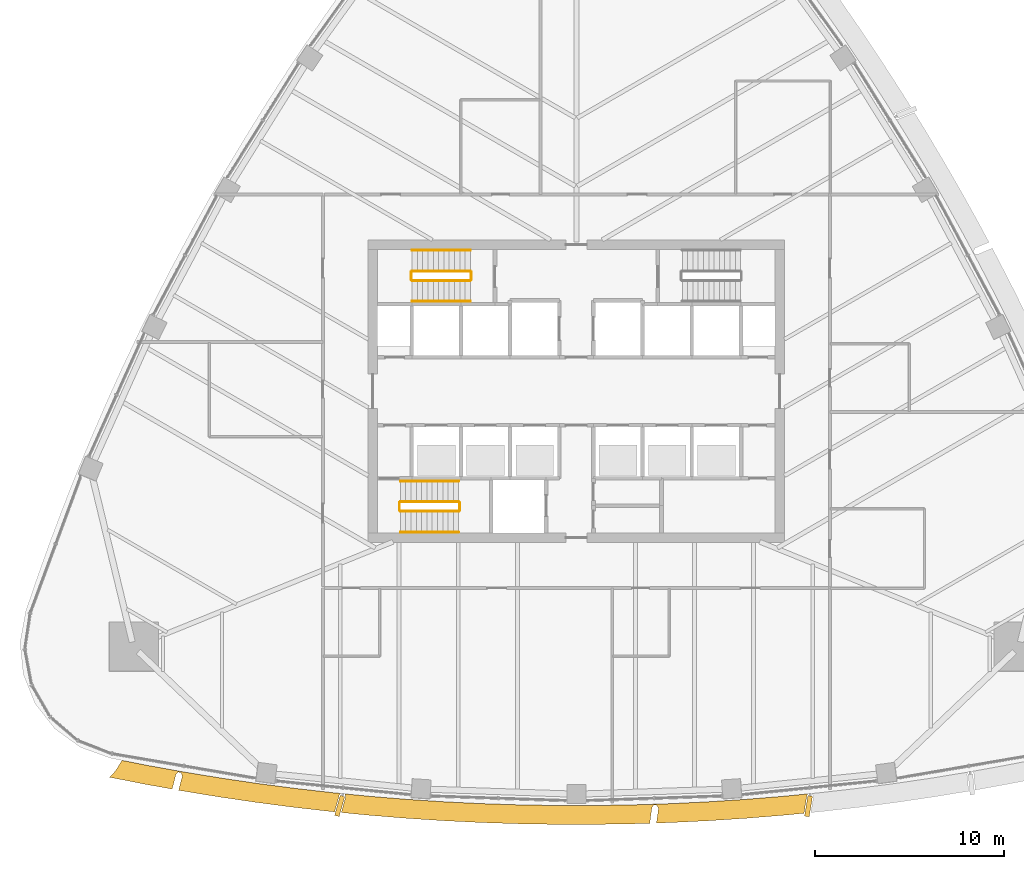
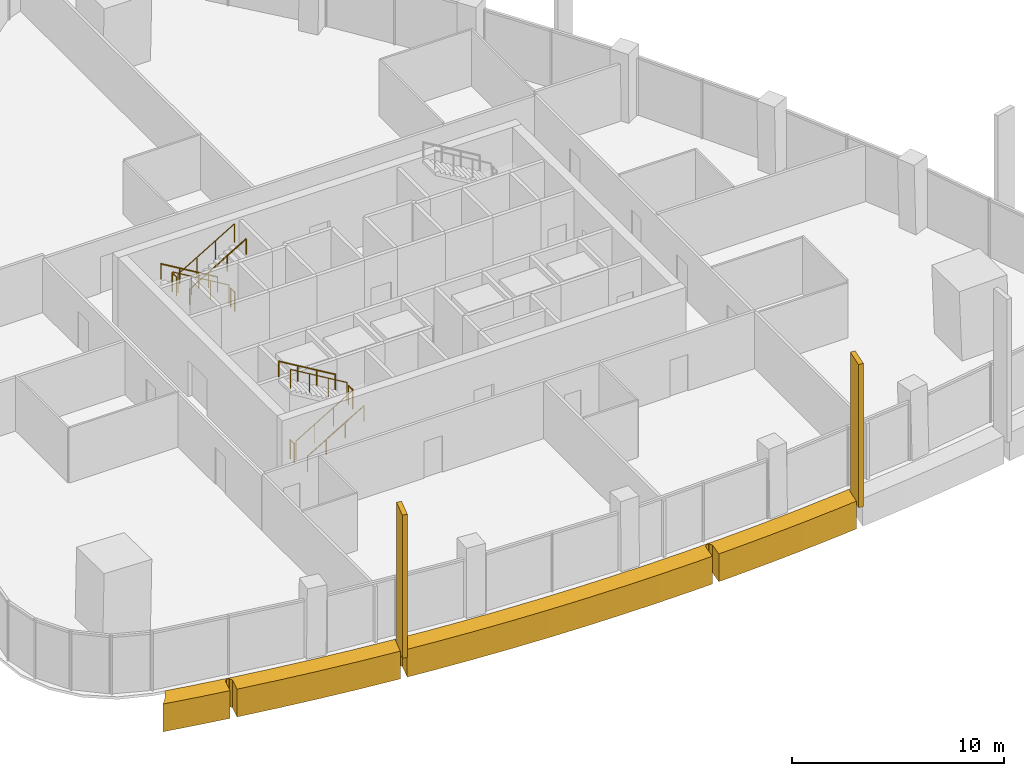
# One storey, part 16 of 19: 12 railings, 4 coverings.
"""IFC4 building model written with IfcOpenShell, lengths in metres."""

from ifc_helpers import new_model, si_unit, direction, frame, origin, origin_2d, place, context, subcontext, project, spatial, polyline, rectangle, circle, outline, extrude, material, layer, layer_set, material_profile, profile_set, type_object, element, save


model = new_model("IFC4")

# Units and contexts
model_context = context("Model", 3, precision=1e-05, world=origin(), true_north=direction((0.0, 1.0)))
body_context = subcontext(model_context, "Body", "Model", "MODEL_VIEW")
ifc_project = project(units=[si_unit("LENGTHUNIT", "METRE"), si_unit("AREAUNIT", "SQUARE_METRE"), si_unit("VOLUMEUNIT", "CUBIC_METRE"), si_unit("PLANEANGLEUNIT", "RADIAN"), si_unit("MASSUNIT", "GRAM", prefix="KILO")], contexts=[model_context])

# Site, building, storey
site_placement = place(None, origin())
site = spatial("IfcSite", under=ifc_project, at=site_placement, CompositionType="ELEMENT")
building_placement = place(site_placement, origin())
building = spatial("IfcBuilding", under=site, at=building_placement, Name="Sierra Prisma Convention Tower", CompositionType="ELEMENT")
storey_placement = place(building_placement, frame((0.0, 0.0, 185.800048828125)))
storey = spatial("IfcBuildingStorey", under=building, at=storey_placement, Name="L41", CompositionType="ELEMENT", Elevation=185.800048828125)

# Coverings
ifc_material_1 = material(Name="Aluminium 6063-T6 bronze anodised", Category="aluminium")
ifc_material_profile = material_profile(ifc_material_1, rectangle(XDim=1.10009765625, YDim=0.25, at=origin_2d()), Name="ALU FIN 1100x250")
ifc_profile_set = profile_set([ifc_material_profile], Name="Aluminium 6063-T6 bronze anodised")
covering_type_1 = type_object("IfcCoveringType", Name="Bronze facade fin", PredefinedType="CLADDING", material=ifc_profile_set)
for number, where, z_axis, x_axis, name in (
    (1, (-12.509521484375, -21.920166015625, -0.300048828125), (0.0, 0.0, 1.0), (-0.268605175846, -0.963250361801, 0.0), "Fin L41.5"),
    (2, (12.271728515625, -21.932861328125, -0.300048828125), (0.0, 0.0, 1.0), (-0.163648231018, -0.986518756276, 0.0), "Fin L41.14"),
):
    element("IfcCovering", number, at=place(storey_placement, frame(where, z_axis=z_axis, x_axis=x_axis)), inside=storey, type_object=covering_type_1, Name=name, ObjectType="FIN", PredefinedType="CLADDING", context=body_context, shape_type="SweptSolid", body=[
        extrude(rectangle(XDim=1.10009765625, YDim=0.25, at=origin_2d()), origin(), (0.0, 0.0, 1.0), 8.25),
    ])
ifc_material_2 = material(Name="Aluminium composite bronze anodised", Category="aluminium")
ifc_layer = layer(ifc_material_2, 1.0)
ifc_layer_set = layer_set([ifc_layer], Name="Bronze spandrel band")
covering_type_2 = type_object("IfcCoveringType", Name="Bronze spandrel band", PredefinedType="CLADDING", material=ifc_layer_set)
covering_1_placement = place(storey_placement, frame((0.0, 0.0, -1.60009765625)))
element("IfcCovering", 3, at=covering_1_placement, inside=storey, type_object=covering_type_2, Name="Spandrel band L41.2", PredefinedType="CLADDING", context=body_context, shape_type="SweptSolid", body=[
    extrude(outline(polyline([(-22.674560546875, -19.777099609375), (-20.722900390625, -20.12939453125), (-18.765869140625, -20.449951171875), (-16.8037109375, -20.73876953125), (-14.83740234375, -20.99560546875), (-12.866943359375, -21.220458984375), (-12.4619140625, -21.260009765625), (-12.51904296875, -21.3232421875), (-12.522216796875, -21.326904296875), (-12.524658203125, -21.33056640625), (-12.52685546875, -21.334716796875), (-12.52880859375, -21.339111328125), (-12.5302734375, -21.343505859375), (-12.778564453125, -22.23388671875), (-12.964111328125, -22.2158203125), (-12.980224609375, -22.214111328125), (-14.95068359375, -21.989013671875), (-14.966796875, -21.987060546875), (-16.933349609375, -21.730224609375), (-16.949462890625, -21.72802734375), (-18.911376953125, -21.439208984375), (-18.927490234375, -21.436767578125), (-20.884521484375, -21.1162109375), (-20.900634765625, -21.113525390625), (-21.019287109375, -21.092041015625), (-20.830810546875, -20.355712890625), (-20.82958984375, -20.350830078125), (-20.8291015625, -20.345947265625), (-20.8291015625, -20.3408203125), (-20.82958984375, -20.335693359375), (-20.830810546875, -20.330810546875), (-20.832275390625, -20.326171875), (-20.884521484375, -20.184814453125), (-20.88623046875, -20.180419921875), (-20.888671875, -20.17626953125), (-20.89111328125, -20.172119140625), (-20.894287109375, -20.16845703125), (-20.897705078125, -20.1650390625), (-20.9013671875, -20.162109375), (-20.9052734375, -20.159423828125), (-20.909423828125, -20.156982421875), (-20.913818359375, -20.1552734375), (-20.91845703125, -20.15380859375), (-20.923095703125, -20.15283203125), (-21.021728515625, -20.136474609375), (-21.026611328125, -20.135986328125), (-21.031494140625, -20.135986328125), (-21.036376953125, -20.13623046875), (-21.041015625, -20.13720703125), (-21.0458984375, -20.138427734375), (-21.05029296875, -20.14013671875), (-21.0546875, -20.142333984375), (-21.058837890625, -20.14501953125), (-21.0625, -20.14794921875), (-21.066162109375, -20.1513671875), (-21.157470703125, -20.246826171875), (-21.160888671875, -20.250732421875), (-21.163818359375, -20.2548828125), (-21.166259765625, -20.25927734375), (-21.168212890625, -20.263916015625), (-21.169677734375, -20.268798828125), (-21.36474609375, -21.02978515625), (-22.852294921875, -20.76123046875), (-22.8681640625, -20.75830078125), (-24.66455078125, -20.40380859375), (-24.535400390625, -20.275390625), (-24.379638671875, -20.0869140625), (-24.24267578125, -19.88427734375), (-24.016845703125, -19.51220703125), (-22.674560546875, -19.777099609375)])), origin(), (0.0, 0.0, 1.0), 1.60009765625),
])
covering_2_placement = place(storey_placement, frame((0.0, 0.0, -1.60009765625)))
element("IfcCovering", 4, at=covering_2_placement, inside=storey, type_object=covering_type_2, Name="Spandrel band L41.11", PredefinedType="CLADDING", context=body_context, shape_type="SweptSolid", body=[
    extrude(outline(polyline([(4.339599609375, -22.048828125), (4.338623046875, -22.044189453125), (4.33740234375, -22.039794921875), (4.335693359375, -22.035400390625), (4.33349609375, -22.03125), (4.2548828125, -21.892578125), (4.252197265625, -21.888427734375), (4.249267578125, -21.884521484375), (4.245849609375, -21.880859375), (4.241943359375, -21.877685546875), (4.238037109375, -21.874755859375), (4.233642578125, -21.872314453125), (4.22900390625, -21.870361328125), (4.224365234375, -21.868896484375), (4.219482421875, -21.867919921875), (4.214599609375, -21.8671875), (4.20947265625, -21.8671875), (4.109619140625, -21.87109375), (4.1044921875, -21.87158203125), (4.099365234375, -21.87255859375), (4.094482421875, -21.8740234375), (4.089599609375, -21.876220703125), (4.085205078125, -21.878662109375), (4.080810546875, -21.881591796875), (4.076904296875, -21.885009765625), (4.073486328125, -21.888916015625), (4.0703125, -21.892822265625), (4.001220703125, -21.993896484375), (3.99853515625, -21.997802734375), (3.99658203125, -22.001953125), (3.994873046875, -22.00634765625), (3.99365234375, -22.010986328125), (3.992919921875, -22.015380859375), (3.881103515625, -22.8349609375), (3.007080078125, -22.86328125), (2.99072265625, -22.863525390625), (1.0078125, -22.895751953125), (0.99169921875, -22.89599609375), (-0.99169921875, -22.89599609375), (-1.0078125, -22.895751953125), (-2.99072265625, -22.863525390625), (-3.007080078125, -22.86328125), (-4.989013671875, -22.798828125), (-5.00537109375, -22.798095703125), (-6.986083984375, -22.70166015625), (-7.00244140625, -22.70068359375), (-8.9814453125, -22.572021484375), (-8.99755859375, -22.57080078125), (-10.97412109375, -22.409912109375), (-10.990478515625, -22.40869140625), (-12.4248046875, -22.268310546875), (-12.193115234375, -21.4375), (-12.192138671875, -21.432861328125), (-12.19140625, -21.42822265625), (-12.19140625, -21.423583984375), (-12.19140625, -21.4189453125), (-12.192138671875, -21.414306640625), (-12.193359375, -21.409912109375), (-12.19482421875, -21.405517578125), (-12.244384765625, -21.28125), (-10.89306640625, -21.413330078125), (-8.91650390625, -21.57421875), (-6.9375, -21.702880859375), (-4.95654296875, -21.79931640625), (-2.974609375, -21.86376953125), (-0.99169921875, -21.89599609375), (0.99169921875, -21.89599609375), (2.974609375, -21.86376953125), (4.95654296875, -21.79931640625), (6.9375, -21.702880859375), (8.91650390625, -21.57421875), (10.89306640625, -21.413330078125), (12.236328125, -21.281982421875), (12.196533203125, -21.342529296875), (12.194091796875, -21.346923828125), (12.19189453125, -21.351806640625), (12.190185546875, -21.356689453125), (12.18896484375, -21.36181640625), (12.0322265625, -22.306884765625), (10.990478515625, -22.40869140625), (10.97412109375, -22.409912109375), (8.99755859375, -22.57080078125), (8.9814453125, -22.572021484375), (7.00244140625, -22.70068359375), (6.986083984375, -22.70166015625), (5.00537109375, -22.798095703125), (4.989013671875, -22.798828125), (4.23583984375, -22.8232421875), (4.339599609375, -22.062744140625), (4.340087890625, -22.05810546875), (4.340087890625, -22.053466796875), (4.339599609375, -22.048828125)])), origin(), (0.0, 0.0, 1.0), 1.60009765625),
])

# Railings
ifc_material_3 = material(Name="Stainless steel", Category="steel")
railing_type_1 = type_object("IfcRailingType", Name="Exit stair handrail", PredefinedType="HANDRAIL", material=ifc_material_3)
railing_1_placement = place(storey_placement, frame((-9.300048828125, -7.449951171875, 0.16650390625)))
element("IfcRailing", 5, at=railing_1_placement, inside=storey, type_object=railing_type_1, Name="L41 S1 stair handrail 1", PredefinedType="HANDRAIL", context=body_context, shape_type="SweptSolid", body=[
    extrude(circle(Radius=0.02392578125, at=origin_2d()), frame((0.0, 0.0, 0.8759765625), z_axis=(0.85927862911, 0.0, 0.511507807912), x_axis=(0.0, 1.0, 0.0)), (0.0, 0.0, 1.0), 3.58447265625),
    extrude(circle(Radius=0.02099609375, at=origin_2d()), origin(), (0.0, 0.0, 1.0), 0.851806640625),
    extrude(circle(Radius=0.02099609375, at=origin_2d()), frame((1.026611328125, 0.0, 0.611083984375)), (0.0, 0.0, 1.0), 0.851806640625),
    extrude(circle(Radius=0.02099609375, at=origin_2d()), frame((2.053466796875, 0.0, 1.222412109375)), (0.0, 0.0, 1.0), 0.851806640625),
    extrude(circle(Radius=0.02099609375, at=origin_2d()), frame((3.080078125, 0.0, 1.83349609375)), (0.0, 0.0, 1.0), 0.851806640625),
])
railing_2_placement = place(storey_placement, frame((-6.219970703125, -4.75, 2.16650390625)))
element("IfcRailing", 6, at=railing_2_placement, inside=storey, type_object=railing_type_1, Name="L41 S1 stair handrail 2", PredefinedType="HANDRAIL", context=body_context, shape_type="SweptSolid", body=[
    extrude(circle(Radius=0.02392578125, at=origin_2d()), frame((0.0, 0.0, 0.8759765625), z_axis=(-0.85927862911, 0.0, 0.511507807912), x_axis=(0.0, -1.0, 0.0)), (0.0, 0.0, 1.0), 3.58447265625),
    extrude(circle(Radius=0.02099609375, at=origin_2d()), origin(), (0.0, 0.0, 1.0), 0.851806640625),
    extrude(circle(Radius=0.02099609375, at=origin_2d()), frame((-1.026611328125, 0.0, 0.611083984375)), (0.0, 0.0, 1.0), 0.851806640625),
    extrude(circle(Radius=0.02099609375, at=origin_2d()), frame((-2.053466796875, 0.0, 1.222412109375)), (0.0, 0.0, 1.0), 0.851806640625),
    extrude(circle(Radius=0.02099609375, at=origin_2d()), frame((-3.080078125, 0.0, 1.83349609375)), (0.0, 0.0, 1.0), 0.851806640625),
])
railing_3_placement = place(storey_placement, frame((-5.60009765625, 7.449951171875, 0.16650390625)))
element("IfcRailing", 7, at=railing_3_placement, inside=storey, type_object=railing_type_1, Name="L41 S3 stair handrail 1", PredefinedType="HANDRAIL", context=body_context, shape_type="SweptSolid", body=[
    extrude(circle(Radius=0.02392578125, at=origin_2d()), frame((0.0, 0.0, 0.8759765625), z_axis=(-0.859260807169, 0.0, 0.511537745687), x_axis=(0.0, -1.0, 0.0)), (0.0, 0.0, 1.0), 3.584228515625),
    extrude(circle(Radius=0.02099609375, at=origin_2d()), origin(), (0.0, 0.0, 1.0), 0.851806640625),
    extrude(circle(Radius=0.02099609375, at=origin_2d()), frame((-1.026611328125, 0.0, 0.611083984375)), (0.0, 0.0, 1.0), 0.851806640625),
    extrude(circle(Radius=0.02099609375, at=origin_2d()), frame((-2.05322265625, 0.0, 1.222412109375)), (0.0, 0.0, 1.0), 0.851806640625),
    extrude(circle(Radius=0.02099609375, at=origin_2d()), frame((-3.079833984375, 0.0, 1.83349609375)), (0.0, 0.0, 1.0), 0.851806640625),
])
railing_4_placement = place(storey_placement, frame((-8.679931640625, 4.75, 2.16650390625)))
element("IfcRailing", 8, at=railing_4_placement, inside=storey, type_object=railing_type_1, Name="L41 S3 stair handrail 2", PredefinedType="HANDRAIL", context=body_context, shape_type="SweptSolid", body=[
    extrude(circle(Radius=0.02392578125, at=origin_2d()), frame((0.0, 0.0, 0.8759765625), z_axis=(0.859260807169, 0.0, 0.511537745687), x_axis=(0.0, 1.0, 0.0)), (0.0, 0.0, 1.0), 3.584228515625),
    extrude(circle(Radius=0.02099609375, at=origin_2d()), origin(), (0.0, 0.0, 1.0), 0.851806640625),
    extrude(circle(Radius=0.02099609375, at=origin_2d()), frame((1.026611328125, 0.0, 0.611083984375)), (0.0, 0.0, 1.0), 0.851806640625),
    extrude(circle(Radius=0.02099609375, at=origin_2d()), frame((2.05322265625, 0.0, 1.222412109375)), (0.0, 0.0, 1.0), 0.851806640625),
    extrude(circle(Radius=0.02099609375, at=origin_2d()), frame((3.079833984375, 0.0, 1.83349609375)), (0.0, 0.0, 1.0), 0.851806640625),
])
ifc_material_4 = material(Name="Stainless steel", Category="steel")
railing_type_2 = type_object("IfcRailingType", Name="Stair guard 1100", PredefinedType="GUARDRAIL", material=ifc_material_4)
railing_5_placement = place(storey_placement, frame((-9.300048828125, -6.35009765625, 0.16650390625)))
element("IfcRailing", 9, at=railing_5_placement, inside=storey, type_object=railing_type_2, Name="L41 S1 stair guard 1", PredefinedType="GUARDRAIL", context=body_context, shape_type="SweptSolid", body=[
    extrude(circle(Radius=0.02392578125, at=origin_2d()), frame((0.0, 0.0, 1.076171875), z_axis=(0.85927862911, 0.0, 0.511507807912), x_axis=(0.0, 1.0, 0.0)), (0.0, 0.0, 1.0), 3.58447265625),
    extrude(circle(Radius=0.02099609375, at=origin_2d()), origin(), (0.0, 0.0, 1.0), 1.052001953125),
    extrude(circle(Radius=0.02099609375, at=origin_2d()), frame((1.026611328125, 0.0, 0.611083984375)), (0.0, 0.0, 1.0), 1.052001953125),
    extrude(circle(Radius=0.02099609375, at=origin_2d()), frame((2.053466796875, 0.0, 1.222412109375)), (0.0, 0.0, 1.0), 1.052001953125),
    extrude(circle(Radius=0.02099609375, at=origin_2d()), frame((3.080078125, 0.0, 1.83349609375)), (0.0, 0.0, 1.0), 1.052001953125),
])
railing_6_placement = place(storey_placement, frame((-6.169921875, -6.300048828125, 2.0)))
element("IfcRailing", 10, at=railing_6_placement, inside=storey, type_object=railing_type_2, Name="L41 S1 stair guard 2", PredefinedType="GUARDRAIL", context=body_context, shape_type="SweptSolid", body=[
    extrude(circle(Radius=0.02392578125, at=origin_2d()), frame((0.0, 0.0, 1.076171875), z_axis=(0.0, 1.0, 0.0), x_axis=(-1.0, 0.0, 0.0)), (0.0, 0.0, 1.0), 0.400146484375),
    extrude(circle(Radius=0.02099609375, at=origin_2d()), origin(), (0.0, 0.0, 1.0), 1.052001953125),
    extrude(circle(Radius=0.02099609375, at=origin_2d()), frame((0.0, 0.400146484375, 0.0)), (0.0, 0.0, 1.0), 1.052001953125),
])
railing_7_placement = place(storey_placement, frame((-6.219970703125, -5.85009765625, 2.16650390625)))
element("IfcRailing", 11, at=railing_7_placement, inside=storey, type_object=railing_type_2, Name="L41 S1 stair guard 3", PredefinedType="GUARDRAIL", context=body_context, shape_type="SweptSolid", body=[
    extrude(circle(Radius=0.02392578125, at=origin_2d()), frame((0.0, 0.0, 1.076171875), z_axis=(-0.85927862911, 0.0, 0.511507807912), x_axis=(0.0, -1.0, 0.0)), (0.0, 0.0, 1.0), 3.58447265625),
    extrude(circle(Radius=0.02099609375, at=origin_2d()), origin(), (0.0, 0.0, 1.0), 1.052001953125),
    extrude(circle(Radius=0.02099609375, at=origin_2d()), frame((-1.026611328125, 0.0, 0.611083984375)), (0.0, 0.0, 1.0), 1.052001953125),
    extrude(circle(Radius=0.02099609375, at=origin_2d()), frame((-2.053466796875, 0.0, 1.222412109375)), (0.0, 0.0, 1.0), 1.052001953125),
    extrude(circle(Radius=0.02099609375, at=origin_2d()), frame((-3.080078125, 0.0, 1.83349609375)), (0.0, 0.0, 1.0), 1.052001953125),
])
railing_8_placement = place(storey_placement, frame((-9.35009765625, -6.300048828125, 0.0)))
element("IfcRailing", 12, at=railing_8_placement, inside=storey, type_object=railing_type_2, Name="L41 S1 stair guard 4", PredefinedType="GUARDRAIL", context=body_context, shape_type="SweptSolid", body=[
    extrude(circle(Radius=0.02392578125, at=origin_2d()), frame((0.0, 0.0, 1.076171875), z_axis=(0.0, 1.0, 0.0), x_axis=(-1.0, 0.0, 0.0)), (0.0, 0.0, 1.0), 0.400146484375),
    extrude(circle(Radius=0.02099609375, at=origin_2d()), origin(), (0.0, 0.0, 1.0), 1.052001953125),
    extrude(circle(Radius=0.02099609375, at=origin_2d()), frame((0.0, 0.400146484375, 0.0)), (0.0, 0.0, 1.0), 1.052001953125),
])
railing_9_placement = place(storey_placement, frame((-5.60009765625, 6.35009765625, 0.16650390625)))
element("IfcRailing", 13, at=railing_9_placement, inside=storey, type_object=railing_type_2, Name="L41 S3 stair guard 1", PredefinedType="GUARDRAIL", context=body_context, shape_type="SweptSolid", body=[
    extrude(circle(Radius=0.02392578125, at=origin_2d()), frame((0.0, 0.0, 1.076171875), z_axis=(-0.859260807169, 0.0, 0.511537745687), x_axis=(0.0, -1.0, 0.0)), (0.0, 0.0, 1.0), 3.584228515625),
    extrude(circle(Radius=0.02099609375, at=origin_2d()), origin(), (0.0, 0.0, 1.0), 1.052001953125),
    extrude(circle(Radius=0.02099609375, at=origin_2d()), frame((-1.026611328125, 0.0, 0.611083984375)), (0.0, 0.0, 1.0), 1.052001953125),
    extrude(circle(Radius=0.02099609375, at=origin_2d()), frame((-2.05322265625, 0.0, 1.222412109375)), (0.0, 0.0, 1.0), 1.052001953125),
    extrude(circle(Radius=0.02099609375, at=origin_2d()), frame((-3.079833984375, 0.0, 1.83349609375)), (0.0, 0.0, 1.0), 1.052001953125),
])
railing_10_placement = place(storey_placement, frame((-8.72998046875, 6.300048828125, 2.0)))
element("IfcRailing", 14, at=railing_10_placement, inside=storey, type_object=railing_type_2, Name="L41 S3 stair guard 2", PredefinedType="GUARDRAIL", context=body_context, shape_type="SweptSolid", body=[
    extrude(circle(Radius=0.02392578125, at=origin_2d()), frame((0.0, 0.0, 1.076171875), z_axis=(0.0, -1.0, 0.0), x_axis=(1.0, 0.0, 0.0)), (0.0, 0.0, 1.0), 0.400146484375),
    extrude(circle(Radius=0.02099609375, at=origin_2d()), origin(), (0.0, 0.0, 1.0), 1.052001953125),
    extrude(circle(Radius=0.02099609375, at=origin_2d()), frame((0.0, -0.400146484375, 0.0)), (0.0, 0.0, 1.0), 1.052001953125),
])
railing_11_placement = place(storey_placement, frame((-8.679931640625, 5.85009765625, 2.16650390625)))
element("IfcRailing", 15, at=railing_11_placement, inside=storey, type_object=railing_type_2, Name="L41 S3 stair guard 3", PredefinedType="GUARDRAIL", context=body_context, shape_type="SweptSolid", body=[
    extrude(circle(Radius=0.02392578125, at=origin_2d()), frame((0.0, 0.0, 1.076171875), z_axis=(0.859260807169, 0.0, 0.511537745687), x_axis=(0.0, 1.0, 0.0)), (0.0, 0.0, 1.0), 3.584228515625),
    extrude(circle(Radius=0.02099609375, at=origin_2d()), origin(), (0.0, 0.0, 1.0), 1.052001953125),
    extrude(circle(Radius=0.02099609375, at=origin_2d()), frame((1.026611328125, 0.0, 0.611083984375)), (0.0, 0.0, 1.0), 1.052001953125),
    extrude(circle(Radius=0.02099609375, at=origin_2d()), frame((2.05322265625, 0.0, 1.222412109375)), (0.0, 0.0, 1.0), 1.052001953125),
    extrude(circle(Radius=0.02099609375, at=origin_2d()), frame((3.079833984375, 0.0, 1.83349609375)), (0.0, 0.0, 1.0), 1.052001953125),
])
railing_12_placement = place(storey_placement, frame((-5.550048828125, 6.300048828125, 0.0)))
element("IfcRailing", 16, at=railing_12_placement, inside=storey, type_object=railing_type_2, Name="L41 S3 stair guard 4", PredefinedType="GUARDRAIL", context=body_context, shape_type="SweptSolid", body=[
    extrude(circle(Radius=0.02392578125, at=origin_2d()), frame((0.0, 0.0, 1.076171875), z_axis=(0.0, -1.0, 0.0), x_axis=(1.0, 0.0, 0.0)), (0.0, 0.0, 1.0), 0.400146484375),
    extrude(circle(Radius=0.02099609375, at=origin_2d()), origin(), (0.0, 0.0, 1.0), 1.052001953125),
    extrude(circle(Radius=0.02099609375, at=origin_2d()), frame((0.0, -0.400146484375, 0.0)), (0.0, 0.0, 1.0), 1.052001953125),
])

save(model, "model.ifc")
